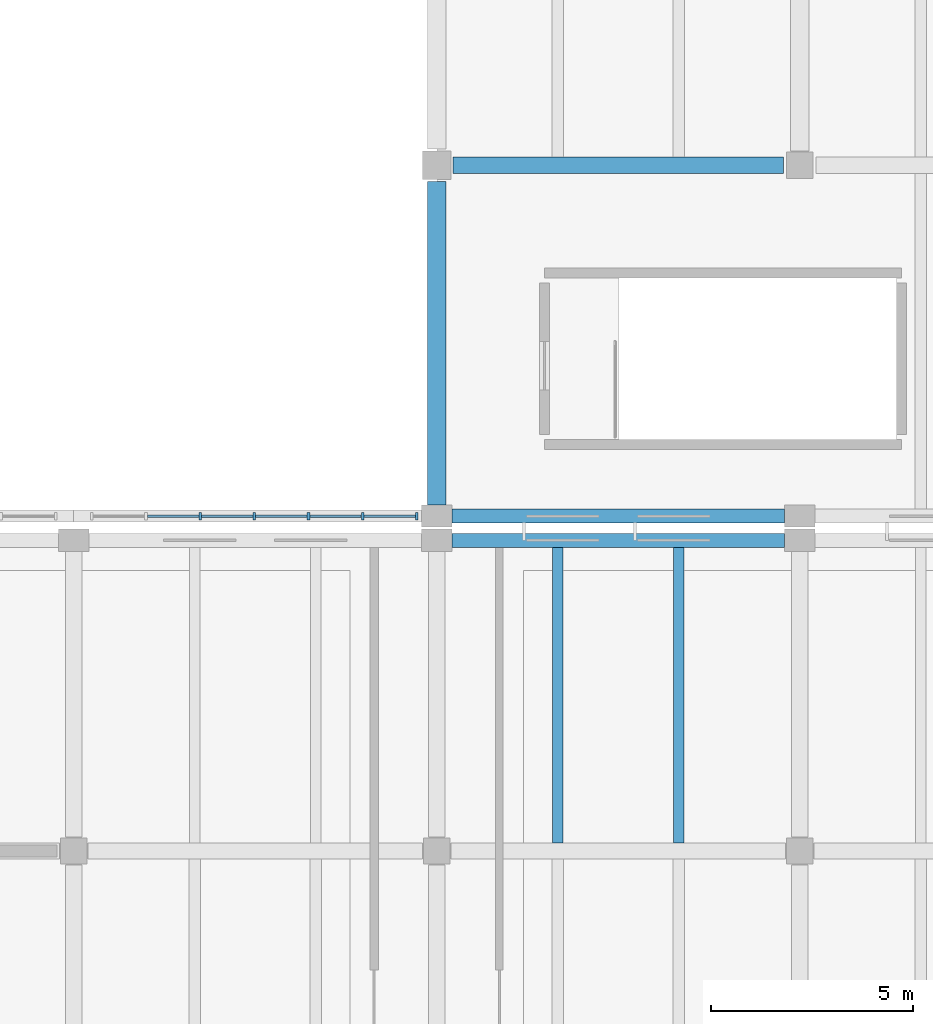
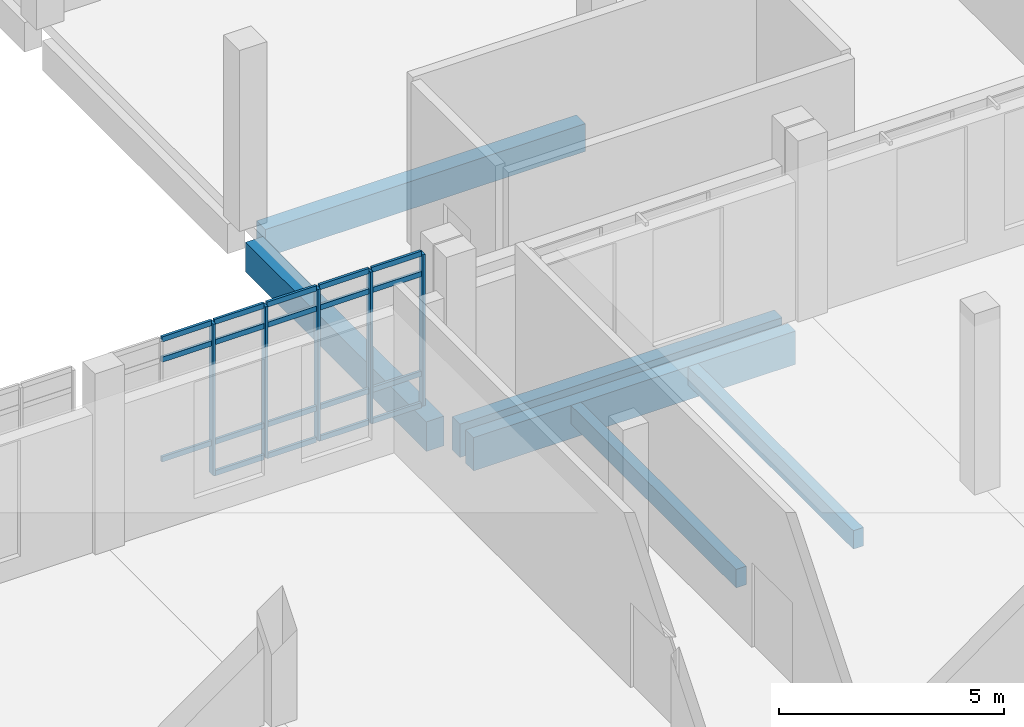
# One storey, part 36 of 110: 24 members, 6 beams, 1 element without a shape of its own.
"""IFC4 building model written with IfcOpenShell, lengths in metres."""

from ifc_helpers import new_model, si_unit, direction, frame, origin, origin_2d, place, context, subcontext, project, spatial, rectangle, extrude, material, layer, layer_set, material_profile, profile_set, type_object, element, aggregate, save


model = new_model("IFC4")

# Units and contexts
model_context = context("Model", 3, precision=1e-05, world=origin(), true_north=direction((0.0, 1.0)))
body_context = subcontext(model_context, "Body", "Model", "MODEL_VIEW")
ifc_project = project(units=[si_unit("LENGTHUNIT", "METRE"), si_unit("AREAUNIT", "SQUARE_METRE"), si_unit("VOLUMEUNIT", "CUBIC_METRE"), si_unit("PLANEANGLEUNIT", "RADIAN"), si_unit("MASSUNIT", "GRAM", prefix="KILO")], contexts=[model_context])

# Site, building, storey
site_placement = place(None, origin())
site = spatial("IfcSite", under=ifc_project, at=site_placement, CompositionType="ELEMENT")
building_placement = place(site_placement, origin())
building = spatial("IfcBuilding", under=site, at=building_placement, Name="Zacnel Wholesale Market", CompositionType="ELEMENT")
storey_placement = place(building_placement, frame((0.0, 0.0, 6.300048828125)))
storey = spatial("IfcBuildingStorey", under=building, at=storey_placement, Name="L02", CompositionType="ELEMENT", Elevation=6.300048828125)

# Beams
ifc_material_1 = material(Name="Precast concrete C45/55", Category="concrete")
ifc_material_profile_1 = material_profile(ifc_material_1, rectangle(XDim=0.39990234375, YDim=0.75, at=origin_2d()), Name="PG 400x750")
ifc_profile_set_1 = profile_set([ifc_material_profile_1], Name="Precast concrete C45/55")
beam_type_1 = type_object("IfcBeamType", Name="BM-PG750", PredefinedType="BEAM", material=ifc_profile_set_1)
beam_1_placement = place(storey_placement, frame((180.39990234375, 57.0, -0.675048828125), z_axis=(1.0, 0.0, 0.0), x_axis=(0.0, 1.0, 0.0)))
element("IfcBeam", 1, at=beam_1_placement, inside=storey, type_object=beam_type_1, Name="Precast girder X-0169", PredefinedType="BEAM", context=body_context, shape_type="SweptSolid", body=[
    extrude(rectangle(XDim=0.39990234375, YDim=0.75, at=origin_2d()), origin(), (0.0, 0.0, 1.0), 8.2001953125),
])
ifc_material_2 = material(Name="Precast concrete C45/55", Category="concrete")
ifc_material_profile_2 = material_profile(ifc_material_2, rectangle(XDim=0.449951171875, YDim=0.800048828125, at=origin_2d()), Name="PG 450x800")
ifc_profile_set_2 = profile_set([ifc_material_profile_2], Name="Precast concrete C45/55")
beam_type_2 = type_object("IfcBeamType", Name="BM-PG800", PredefinedType="BEAM", material=ifc_profile_set_2)
beam_2_placement = place(storey_placement, frame((180.0, 48.574951171875, -0.699951171875), z_axis=(0.0, 1.0, 0.0), x_axis=(-1.0, 0.0, 0.0)))
element("IfcBeam", 2, at=beam_2_placement, inside=storey, type_object=beam_type_2, Name="Precast girder Y-0507", PredefinedType="BEAM", context=body_context, shape_type="SweptSolid", body=[
    extrude(rectangle(XDim=0.449951171875, YDim=0.800048828125, at=origin_2d()), origin(), (0.0, 0.0, 1.0), 8.025146484375),
])
ifc_material_3 = material(Name="Precast concrete C45/55", Category="concrete")
ifc_material_profile_3 = material_profile(ifc_material_3, rectangle(XDim=0.260009765625, YDim=0.5, at=origin_2d()), Name="PJ 260x500")
ifc_profile_set_3 = profile_set([ifc_material_profile_3], Name="Precast concrete C45/55")
beam_type_3 = type_object("IfcBeamType", Name="BM-PJ500", PredefinedType="HOLLOWCORE", material=ifc_profile_set_3)
for number, where, z_axis, x_axis, name in (
    (3, (183.0, 40.199951171875, -0.550048828125), (0.0, 1.0, 0.0), (-1.0, 0.0, 0.0), "Precast secondary joist L02-0177"),
    (4, (186.0, 40.199951171875, -0.550048828125), (0.0, 1.0, 0.0), (-1.0, 0.0, 0.0), "Precast secondary joist L02-0178"),
):
    element("IfcBeam", number, at=place(storey_placement, frame(where, z_axis=z_axis, x_axis=x_axis)), inside=storey, type_object=beam_type_3, Name=name, PredefinedType="HOLLOWCORE", context=body_context, shape_type="SweptSolid", body=[
        extrude(rectangle(XDim=0.260009765625, YDim=0.5, at=origin_2d()), origin(), (0.0, 0.0, 1.0), 7.324951171875),
    ])
ifc_material_4 = material(Name="Precast concrete C45/55", Category="concrete")
ifc_material_profile_4 = material_profile(ifc_material_4, rectangle(XDim=0.35009765625, YDim=0.89990234375, at=origin_2d()), Name="SP 350x900")
ifc_profile_set_4 = profile_set([ifc_material_profile_4], Name="Precast concrete C45/55")
beam_type_4 = type_object("IfcBeamType", Name="BM-SP900", PredefinedType="SPANDREL", material=ifc_profile_set_4)
for number, where, z_axis, x_axis, name in (
    (5, (180.375, 47.699951171875, -0.75), (1.0, 0.0, 0.0), (0.0, 1.0, 0.0), "Precast girder X-0133"),
    (6, (180.375, 48.300048828125, -0.75), (1.0, 0.0, 0.0), (0.0, 1.0, 0.0), "Precast girder X-0151"),
):
    element("IfcBeam", number, at=place(storey_placement, frame(where, z_axis=z_axis, x_axis=x_axis)), inside=storey, type_object=beam_type_4, Name=name, PredefinedType="SPANDREL", context=body_context, shape_type="SweptSolid", body=[
        extrude(rectangle(XDim=0.35009765625, YDim=0.89990234375, at=origin_2d()), origin(), (0.0, 0.0, 1.0), 8.25),
    ])

# Curtain wall, members
ifc_material_5 = material(Name="Anodised aluminium", Category="aluminium")
ifc_layer = layer(ifc_material_5, 0.159912109375)
ifc_layer_set = layer_set([ifc_layer], Name="Anodised aluminium")
curtain_wall_type = type_object("IfcCurtainWallType", Name="CW-NAVE-4200", PredefinedType="NOTDEFINED", material=ifc_layer_set)
curtain_wall_placement = place(storey_placement, origin())
curtain_wall = element("IfcCurtainWall", 7, at=curtain_wall_placement, inside=storey, type_object=curtain_wall_type, Name="Curtain wall ENV-R2-CW-L02-040", PredefinedType="NOTDEFINED")
ifc_material_6 = material(Name="Anodised aluminium", Category="aluminium")
ifc_material_profile_5 = material_profile(ifc_material_6, rectangle(XDim=0.06494140625, YDim=0.179931640625, at=origin_2d()), Name="AW-MULLION 65x180")
ifc_profile_set_5 = profile_set([ifc_material_profile_5], Name="Anodised aluminium")
member_type_1 = type_object("IfcMemberType", Name="CWM-MUL-03", PredefinedType="MULLION", material=ifc_profile_set_5)
member_1_placement = place(storey_placement, frame((174.135009765625, 48.300048828125, 0.449951171875), z_axis=(0.0, 0.0, 1.0), x_axis=(1.0, 0.0, 0.0)))
member_1 = element("IfcMember", 8, at=member_1_placement, type_object=member_type_1, Name="ENV-R2-CW-L02-040 mullion 03", PredefinedType="MULLION", context=body_context, shape_type="SweptSolid", body=[
    extrude(rectangle(XDim=0.06494140625, YDim=0.179931640625, at=origin_2d()), origin(), (0.0, 0.0, 1.0), 4.10009765625),
])
member_2_placement = place(storey_placement, frame((175.4775390625, 48.300048828125, 0.449951171875), z_axis=(0.0, 0.0, 1.0), x_axis=(1.0, 0.0, 0.0)))
member_2 = element("IfcMember", 9, at=member_2_placement, type_object=member_type_1, Name="ENV-R2-CW-L02-040 mullion 04", PredefinedType="MULLION", context=body_context, shape_type="SweptSolid", body=[
    extrude(rectangle(XDim=0.06494140625, YDim=0.179931640625, at=origin_2d()), origin(), (0.0, 0.0, 1.0), 4.10009765625),
])
member_3_placement = place(storey_placement, frame((176.820068359375, 48.300048828125, 0.449951171875), z_axis=(0.0, 0.0, 1.0), x_axis=(1.0, 0.0, 0.0)))
member_3 = element("IfcMember", 10, at=member_3_placement, type_object=member_type_1, Name="ENV-R2-CW-L02-040 mullion 05", PredefinedType="MULLION", context=body_context, shape_type="SweptSolid", body=[
    extrude(rectangle(XDim=0.06494140625, YDim=0.179931640625, at=origin_2d()), origin(), (0.0, 0.0, 1.0), 4.10009765625),
])
member_4_placement = place(storey_placement, frame((178.16259765625, 48.300048828125, 0.449951171875), z_axis=(0.0, 0.0, 1.0), x_axis=(1.0, 0.0, 0.0)))
member_4 = element("IfcMember", 11, at=member_4_placement, type_object=member_type_1, Name="ENV-R2-CW-L02-040 mullion 06", PredefinedType="MULLION", context=body_context, shape_type="SweptSolid", body=[
    extrude(rectangle(XDim=0.06494140625, YDim=0.179931640625, at=origin_2d()), origin(), (0.0, 0.0, 1.0), 4.10009765625),
])
member_5_placement = place(storey_placement, frame((179.5048828125, 48.300048828125, 0.449951171875), z_axis=(0.0, 0.0, 1.0), x_axis=(1.0, 0.0, 0.0)))
member_5 = element("IfcMember", 12, at=member_5_placement, type_object=member_type_1, Name="ENV-R2-CW-L02-040 mullion 07", PredefinedType="MULLION", context=body_context, shape_type="SweptSolid", body=[
    extrude(rectangle(XDim=0.06494140625, YDim=0.179931640625, at=origin_2d()), origin(), (0.0, 0.0, 1.0), 4.10009765625),
])
ifc_material_7 = material(Name="Anodised aluminium", Category="aluminium")
ifc_material_profile_6 = material_profile(ifc_material_7, rectangle(XDim=0.06494140625, YDim=0.139892578125, at=origin_2d()), Name="AW-TRANSOM 65x140")
ifc_profile_set_6 = profile_set([ifc_material_profile_6], Name="Anodised aluminium")
member_type_2 = type_object("IfcMemberType", Name="CWM-TRN-03", PredefinedType="USERDEFINED", material=ifc_profile_set_6)
member_6_placement = place(storey_placement, frame((172.827392578125, 48.300048828125, 1.300048828125), z_axis=(1.0, 0.0, 0.0), x_axis=(0.0, 1.0, 0.0)))
member_6 = element("IfcMember", 13, at=member_6_placement, type_object=member_type_2, Name="ENV-R2-CW-L02-040 transom 2-2", ObjectType="TRANSOM", PredefinedType="USERDEFINED", context=body_context, shape_type="SweptSolid", body=[
    extrude(rectangle(XDim=0.06494140625, YDim=0.139892578125, at=origin_2d()), origin(), (0.0, 0.0, 1.0), 1.272705078125),
])
member_7_placement = place(storey_placement, frame((172.827392578125, 48.300048828125, 4.0), z_axis=(1.0, 0.0, 0.0), x_axis=(0.0, 1.0, 0.0)))
member_7 = element("IfcMember", 14, at=member_7_placement, type_object=member_type_2, Name="ENV-R2-CW-L02-040 transom 2-3", ObjectType="TRANSOM", PredefinedType="USERDEFINED", context=body_context, shape_type="SweptSolid", body=[
    extrude(rectangle(XDim=0.06494140625, YDim=0.139892578125, at=origin_2d()), origin(), (0.0, 0.0, 1.0), 1.272705078125),
])
member_8_placement = place(storey_placement, frame((172.827392578125, 48.300048828125, 4.550048828125), z_axis=(1.0, 0.0, 0.0), x_axis=(0.0, 1.0, 0.0)))
member_8 = element("IfcMember", 15, at=member_8_placement, type_object=member_type_2, Name="ENV-R2-CW-L02-040 transom 2-4", ObjectType="TRANSOM", PredefinedType="USERDEFINED", context=body_context, shape_type="SweptSolid", body=[
    extrude(rectangle(XDim=0.06494140625, YDim=0.139892578125, at=origin_2d()), origin(), (0.0, 0.0, 1.0), 1.272705078125),
])
member_9_placement = place(storey_placement, frame((174.169921875, 48.300048828125, 0.449951171875), z_axis=(1.0, 0.0, 0.0), x_axis=(0.0, 1.0, 0.0)))
member_9 = element("IfcMember", 16, at=member_9_placement, type_object=member_type_2, Name="ENV-R2-CW-L02-040 transom 3-1", ObjectType="TRANSOM", PredefinedType="USERDEFINED", context=body_context, shape_type="SweptSolid", body=[
    extrude(rectangle(XDim=0.06494140625, YDim=0.139892578125, at=origin_2d()), origin(), (0.0, 0.0, 1.0), 1.2724609375),
])
member_10_placement = place(storey_placement, frame((174.169921875, 48.300048828125, 1.300048828125), z_axis=(1.0, 0.0, 0.0), x_axis=(0.0, 1.0, 0.0)))
member_10 = element("IfcMember", 17, at=member_10_placement, type_object=member_type_2, Name="ENV-R2-CW-L02-040 transom 3-2", ObjectType="TRANSOM", PredefinedType="USERDEFINED", context=body_context, shape_type="SweptSolid", body=[
    extrude(rectangle(XDim=0.06494140625, YDim=0.139892578125, at=origin_2d()), origin(), (0.0, 0.0, 1.0), 1.2724609375),
])
member_11_placement = place(storey_placement, frame((174.169921875, 48.300048828125, 4.0), z_axis=(1.0, 0.0, 0.0), x_axis=(0.0, 1.0, 0.0)))
member_11 = element("IfcMember", 18, at=member_11_placement, type_object=member_type_2, Name="ENV-R2-CW-L02-040 transom 3-3", ObjectType="TRANSOM", PredefinedType="USERDEFINED", context=body_context, shape_type="SweptSolid", body=[
    extrude(rectangle(XDim=0.06494140625, YDim=0.139892578125, at=origin_2d()), origin(), (0.0, 0.0, 1.0), 1.2724609375),
])
member_12_placement = place(storey_placement, frame((174.169921875, 48.300048828125, 4.550048828125), z_axis=(1.0, 0.0, 0.0), x_axis=(0.0, 1.0, 0.0)))
member_12 = element("IfcMember", 19, at=member_12_placement, type_object=member_type_2, Name="ENV-R2-CW-L02-040 transom 3-4", ObjectType="TRANSOM", PredefinedType="USERDEFINED", context=body_context, shape_type="SweptSolid", body=[
    extrude(rectangle(XDim=0.06494140625, YDim=0.139892578125, at=origin_2d()), origin(), (0.0, 0.0, 1.0), 1.2724609375),
])
member_13_placement = place(storey_placement, frame((175.512451171875, 48.300048828125, 0.449951171875), z_axis=(1.0, 0.0, 0.0), x_axis=(0.0, 1.0, 0.0)))
member_13 = element("IfcMember", 20, at=member_13_placement, type_object=member_type_2, Name="ENV-R2-CW-L02-040 transom 4-1", ObjectType="TRANSOM", PredefinedType="USERDEFINED", context=body_context, shape_type="SweptSolid", body=[
    extrude(rectangle(XDim=0.06494140625, YDim=0.139892578125, at=origin_2d()), origin(), (0.0, 0.0, 1.0), 1.2724609375),
])
member_14_placement = place(storey_placement, frame((175.512451171875, 48.300048828125, 1.300048828125), z_axis=(1.0, 0.0, 0.0), x_axis=(0.0, 1.0, 0.0)))
member_14 = element("IfcMember", 21, at=member_14_placement, type_object=member_type_2, Name="ENV-R2-CW-L02-040 transom 4-2", ObjectType="TRANSOM", PredefinedType="USERDEFINED", context=body_context, shape_type="SweptSolid", body=[
    extrude(rectangle(XDim=0.06494140625, YDim=0.139892578125, at=origin_2d()), origin(), (0.0, 0.0, 1.0), 1.2724609375),
])
member_15_placement = place(storey_placement, frame((175.512451171875, 48.300048828125, 4.0), z_axis=(1.0, 0.0, 0.0), x_axis=(0.0, 1.0, 0.0)))
member_15 = element("IfcMember", 22, at=member_15_placement, type_object=member_type_2, Name="ENV-R2-CW-L02-040 transom 4-3", ObjectType="TRANSOM", PredefinedType="USERDEFINED", context=body_context, shape_type="SweptSolid", body=[
    extrude(rectangle(XDim=0.06494140625, YDim=0.139892578125, at=origin_2d()), origin(), (0.0, 0.0, 1.0), 1.2724609375),
])
member_16_placement = place(storey_placement, frame((175.512451171875, 48.300048828125, 4.550048828125), z_axis=(1.0, 0.0, 0.0), x_axis=(0.0, 1.0, 0.0)))
member_16 = element("IfcMember", 23, at=member_16_placement, type_object=member_type_2, Name="ENV-R2-CW-L02-040 transom 4-4", ObjectType="TRANSOM", PredefinedType="USERDEFINED", context=body_context, shape_type="SweptSolid", body=[
    extrude(rectangle(XDim=0.06494140625, YDim=0.139892578125, at=origin_2d()), origin(), (0.0, 0.0, 1.0), 1.2724609375),
])
member_17_placement = place(storey_placement, frame((176.85498046875, 48.300048828125, 0.449951171875), z_axis=(1.0, 0.0, 0.0), x_axis=(0.0, 1.0, 0.0)))
member_17 = element("IfcMember", 24, at=member_17_placement, type_object=member_type_2, Name="ENV-R2-CW-L02-040 transom 5-1", ObjectType="TRANSOM", PredefinedType="USERDEFINED", context=body_context, shape_type="SweptSolid", body=[
    extrude(rectangle(XDim=0.06494140625, YDim=0.139892578125, at=origin_2d()), origin(), (0.0, 0.0, 1.0), 1.2724609375),
])
member_18_placement = place(storey_placement, frame((176.85498046875, 48.300048828125, 1.300048828125), z_axis=(1.0, 0.0, 0.0), x_axis=(0.0, 1.0, 0.0)))
member_18 = element("IfcMember", 25, at=member_18_placement, type_object=member_type_2, Name="ENV-R2-CW-L02-040 transom 5-2", ObjectType="TRANSOM", PredefinedType="USERDEFINED", context=body_context, shape_type="SweptSolid", body=[
    extrude(rectangle(XDim=0.06494140625, YDim=0.139892578125, at=origin_2d()), origin(), (0.0, 0.0, 1.0), 1.2724609375),
])
member_19_placement = place(storey_placement, frame((176.85498046875, 48.300048828125, 4.0), z_axis=(1.0, 0.0, 0.0), x_axis=(0.0, 1.0, 0.0)))
member_19 = element("IfcMember", 26, at=member_19_placement, type_object=member_type_2, Name="ENV-R2-CW-L02-040 transom 5-3", ObjectType="TRANSOM", PredefinedType="USERDEFINED", context=body_context, shape_type="SweptSolid", body=[
    extrude(rectangle(XDim=0.06494140625, YDim=0.139892578125, at=origin_2d()), origin(), (0.0, 0.0, 1.0), 1.2724609375),
])
member_20_placement = place(storey_placement, frame((176.85498046875, 48.300048828125, 4.550048828125), z_axis=(1.0, 0.0, 0.0), x_axis=(0.0, 1.0, 0.0)))
member_20 = element("IfcMember", 27, at=member_20_placement, type_object=member_type_2, Name="ENV-R2-CW-L02-040 transom 5-4", ObjectType="TRANSOM", PredefinedType="USERDEFINED", context=body_context, shape_type="SweptSolid", body=[
    extrude(rectangle(XDim=0.06494140625, YDim=0.139892578125, at=origin_2d()), origin(), (0.0, 0.0, 1.0), 1.2724609375),
])
member_21_placement = place(storey_placement, frame((178.197509765625, 48.300048828125, 0.449951171875), z_axis=(1.0, 0.0, 0.0), x_axis=(0.0, 1.0, 0.0)))
member_21 = element("IfcMember", 28, at=member_21_placement, type_object=member_type_2, Name="ENV-R2-CW-L02-040 transom 6-1", ObjectType="TRANSOM", PredefinedType="USERDEFINED", context=body_context, shape_type="SweptSolid", body=[
    extrude(rectangle(XDim=0.06494140625, YDim=0.139892578125, at=origin_2d()), origin(), (0.0, 0.0, 1.0), 1.2724609375),
])
member_22_placement = place(storey_placement, frame((178.197509765625, 48.300048828125, 1.300048828125), z_axis=(1.0, 0.0, 0.0), x_axis=(0.0, 1.0, 0.0)))
member_22 = element("IfcMember", 29, at=member_22_placement, type_object=member_type_2, Name="ENV-R2-CW-L02-040 transom 6-2", ObjectType="TRANSOM", PredefinedType="USERDEFINED", context=body_context, shape_type="SweptSolid", body=[
    extrude(rectangle(XDim=0.06494140625, YDim=0.139892578125, at=origin_2d()), origin(), (0.0, 0.0, 1.0), 1.2724609375),
])
member_23_placement = place(storey_placement, frame((178.197509765625, 48.300048828125, 4.0), z_axis=(1.0, 0.0, 0.0), x_axis=(0.0, 1.0, 0.0)))
member_23 = element("IfcMember", 30, at=member_23_placement, type_object=member_type_2, Name="ENV-R2-CW-L02-040 transom 6-3", ObjectType="TRANSOM", PredefinedType="USERDEFINED", context=body_context, shape_type="SweptSolid", body=[
    extrude(rectangle(XDim=0.06494140625, YDim=0.139892578125, at=origin_2d()), origin(), (0.0, 0.0, 1.0), 1.2724609375),
])
member_24_placement = place(storey_placement, frame((178.197509765625, 48.300048828125, 4.550048828125), z_axis=(1.0, 0.0, 0.0), x_axis=(0.0, 1.0, 0.0)))
member_24 = element("IfcMember", 31, at=member_24_placement, type_object=member_type_2, Name="ENV-R2-CW-L02-040 transom 6-4", ObjectType="TRANSOM", PredefinedType="USERDEFINED", context=body_context, shape_type="SweptSolid", body=[
    extrude(rectangle(XDim=0.06494140625, YDim=0.139892578125, at=origin_2d()), origin(), (0.0, 0.0, 1.0), 1.2724609375),
])
aggregate(curtain_wall, [member_1, member_2, member_3, member_4, member_5, member_6, member_7, member_8, member_9, member_10, member_11, member_12, member_13, member_14, member_15, member_16, member_17, member_18, member_19, member_20, member_21, member_22, member_23, member_24])

save(model, "model.ifc")
